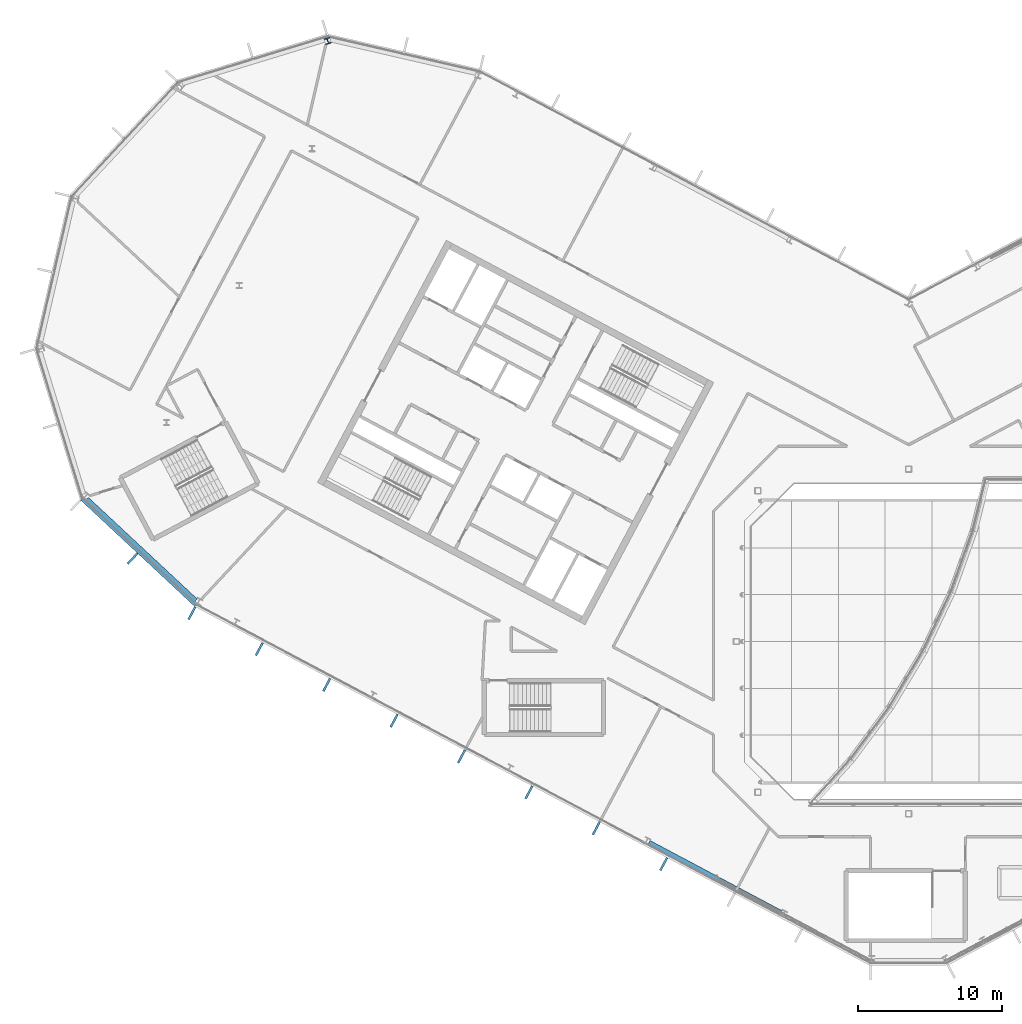
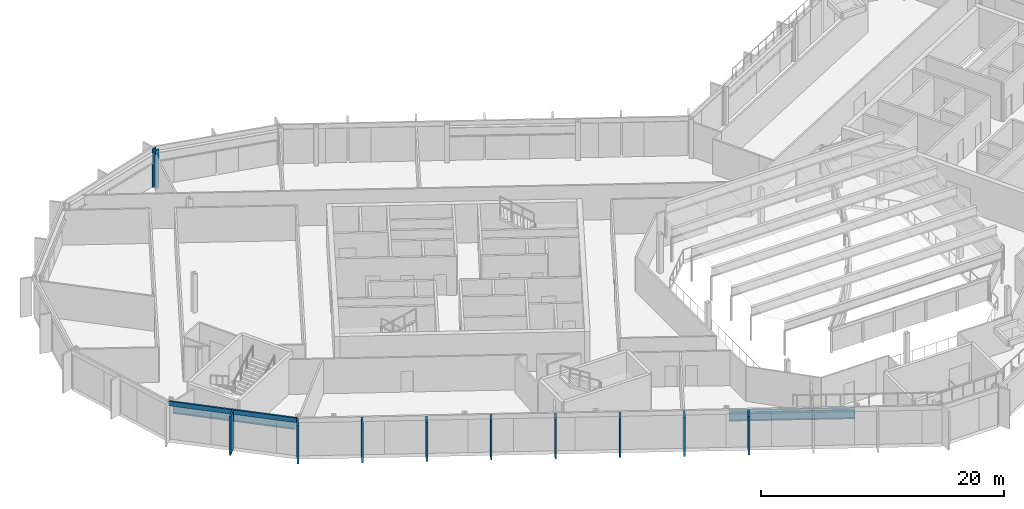
# One storey, part 11 of 35: 10 members, 2 beams, 1 column, 2 elements without a shape of their own.
"""IFC4 building model written with IfcOpenShell, lengths in metres."""

from ifc_helpers import new_model, si_unit, direction, frame, origin, origin_2d, place, context, subcontext, project, spatial, rectangle, i_section, extrude, material, layer, layer_set, material_profile, profile_set, type_object, element, aggregate, save


model = new_model("IFC4")

# Units and contexts
model_context = context("Model", 3, precision=1e-05, world=origin(), true_north=direction((0.0, 1.0)))
body_context = subcontext(model_context, "Body", "Model", "MODEL_VIEW")
ifc_project = project(units=[si_unit("LENGTHUNIT", "METRE"), si_unit("AREAUNIT", "SQUARE_METRE"), si_unit("VOLUMEUNIT", "CUBIC_METRE"), si_unit("PLANEANGLEUNIT", "RADIAN"), si_unit("MASSUNIT", "GRAM", prefix="KILO")], contexts=[model_context])

# Site, building, storey
site_placement = place(None, origin())
site = spatial("IfcSite", under=ifc_project, at=site_placement, CompositionType="ELEMENT")
building_placement = place(site_placement, origin())
building = spatial("IfcBuilding", under=site, at=building_placement, Name="Cormorant Relay Tower", CompositionType="ELEMENT")
storey_placement = place(building_placement, frame((0.0, 0.0, 324.300048828125)))
storey = spatial("IfcBuildingStorey", under=building, at=storey_placement, Name="L74", CompositionType="ELEMENT", Elevation=324.300048828125)

# Column
ifc_material_1 = material(Name="Steel ASTM A992 (Fy 345 MPa)", Category="steel")
ifc_material_profile_1 = material_profile(ifc_material_1, i_section(OverallWidth=0.40380859375, OverallDepth=0.406494140625, WebThickness=0.027099609375, FlangeThickness=0.043701171875, FilletRadius=0.01513671875, at=origin_2d()), Name="W360x347")
ifc_profile_set_1 = profile_set([ifc_material_profile_1], Name="Steel ASTM A992 (Fy 345 MPa)")
column_type = type_object("IfcColumnType", Name="Column W360x347", PredefinedType="COLUMN", material=ifc_profile_set_1)
column_placement = place(storey_placement, frame((-40.455078125, 41.823974609375, 0.0), z_axis=(0.0, 0.0, 1.0), x_axis=(-0.956304755963, -0.292371704723, 0.0)))
element("IfcColumn", 1, at=column_placement, inside=storey, type_object=column_type, Name="Column L74-043", PredefinedType="COLUMN", context=body_context, shape_type="SweptSolid", body=[
    extrude(i_section(OverallWidth=0.40380859375, OverallDepth=0.406494140625, WebThickness=0.027099609375, FlangeThickness=0.043701171875, FilletRadius=0.01513671875, at=origin_2d()), origin(), (0.0, 0.0, 1.0), 3.89990234375),
])

# Curtain wall, member
ifc_material_2 = material(Name="Aluminium 6063-T6 anodised bronze", Category="aluminium")
ifc_layer = layer(ifc_material_2, 0.199951171875)
ifc_layer_set = layer_set([ifc_layer], Name="CW1 unitised bronze curtain wall with vertical fins")
curtain_wall_type = type_object("IfcCurtainWallType", Name="CW1 unitised bronze curtain wall with vertical fins", PredefinedType="NOTDEFINED", material=ifc_layer_set)
curtain_wall_1_placement = place(storey_placement, origin())
curtain_wall_1 = element("IfcCurtainWall", 2, at=curtain_wall_1_placement, inside=storey, type_object=curtain_wall_type, Name="CW1 curtain wall 15", PredefinedType="NOTDEFINED")
ifc_material_3 = material(Name="Aluminium 6063-T6 anodised bronze", Category="aluminium")
ifc_material_profile_2 = material_profile(ifc_material_3, rectangle(XDim=0.14990234375, YDim=1.0, at=origin_2d()), Name="AL 150x1000")
ifc_profile_set_2 = profile_set([ifc_material_profile_2], Name="Aluminium 6063-T6 anodised bronze")
member_type_1 = type_object("IfcMemberType", Name="CW1 bronze fin mullion 150 x 1000", PredefinedType="MULLION", material=ifc_profile_set_2)
member_1_placement = place(storey_placement, frame((-54.0439453125, 5.779296875, 0.0), z_axis=(0.0, 0.0, 1.0), x_axis=(0.731353701619, -0.681998360062, 0.0)))
member_1 = element("IfcMember", 3, at=member_1_placement, type_object=member_type_1, Name="CW1 fin 15.2", PredefinedType="MULLION", context=body_context, shape_type="SweptSolid", body=[
    extrude(rectangle(XDim=0.14990234375, YDim=1.0, at=origin_2d()), origin(), (0.0, 0.0, 1.0), 3.89990234375),
])

# Curtain wall, members
curtain_wall_2_placement = place(storey_placement, origin())
curtain_wall_2 = element("IfcCurtainWall", 4, at=curtain_wall_2_placement, inside=storey, type_object=curtain_wall_type, Name="CW1 curtain wall 16", PredefinedType="NOTDEFINED")
member_2_placement = place(storey_placement, frame((-49.920166015625, 1.96630859375, 0.0), z_axis=(0.0, 0.0, 1.0), x_axis=(0.882947592859, -0.469471562786, 0.0)))
member_2 = element("IfcMember", 5, at=member_2_placement, type_object=member_type_1, Name="CW1 fin 16.1", PredefinedType="MULLION", context=body_context, shape_type="SweptSolid", body=[
    extrude(rectangle(XDim=0.14990234375, YDim=1.0, at=origin_2d()), origin(), (0.0, 0.0, 1.0), 3.89990234375),
])
member_3_placement = place(storey_placement, frame((-45.225830078125, -0.52978515625, 0.0), z_axis=(0.0, 0.0, 1.0), x_axis=(0.882947592859, -0.469471562786, 0.0)))
member_3 = element("IfcMember", 6, at=member_3_placement, type_object=member_type_1, Name="CW1 fin 16.2", PredefinedType="MULLION", context=body_context, shape_type="SweptSolid", body=[
    extrude(rectangle(XDim=0.14990234375, YDim=1.0, at=origin_2d()), origin(), (0.0, 0.0, 1.0), 3.89990234375),
])
member_4_placement = place(storey_placement, frame((-40.531494140625, -3.025634765625, 0.0), z_axis=(0.0, 0.0, 1.0), x_axis=(0.882947592859, -0.469471562786, 0.0)))
member_4 = element("IfcMember", 7, at=member_4_placement, type_object=member_type_1, Name="CW1 fin 16.3", PredefinedType="MULLION", context=body_context, shape_type="SweptSolid", body=[
    extrude(rectangle(XDim=0.14990234375, YDim=1.0, at=origin_2d()), origin(), (0.0, 0.0, 1.0), 3.89990234375),
])
member_5_placement = place(storey_placement, frame((-35.83740234375, -5.521728515625, 0.0), z_axis=(0.0, 0.0, 1.0), x_axis=(0.882947592859, -0.469471562786, 0.0)))
member_5 = element("IfcMember", 8, at=member_5_placement, type_object=member_type_1, Name="CW1 fin 16.4", PredefinedType="MULLION", context=body_context, shape_type="SweptSolid", body=[
    extrude(rectangle(XDim=0.14990234375, YDim=1.0, at=origin_2d()), origin(), (0.0, 0.0, 1.0), 3.89990234375),
])
member_6_placement = place(storey_placement, frame((-31.14306640625, -8.017578125, 0.0), z_axis=(0.0, 0.0, 1.0), x_axis=(0.882947592859, -0.469471562786, 0.0)))
member_6 = element("IfcMember", 9, at=member_6_placement, type_object=member_type_1, Name="CW1 fin 16.5", PredefinedType="MULLION", context=body_context, shape_type="SweptSolid", body=[
    extrude(rectangle(XDim=0.14990234375, YDim=1.0, at=origin_2d()), origin(), (0.0, 0.0, 1.0), 3.89990234375),
])
member_7_placement = place(storey_placement, frame((-26.44873046875, -10.513671875, 0.0), z_axis=(0.0, 0.0, 1.0), x_axis=(0.882947592859, -0.469471562786, 0.0)))
member_7 = element("IfcMember", 10, at=member_7_placement, type_object=member_type_1, Name="CW1 fin 16.6", PredefinedType="MULLION", context=body_context, shape_type="SweptSolid", body=[
    extrude(rectangle(XDim=0.14990234375, YDim=1.0, at=origin_2d()), origin(), (0.0, 0.0, 1.0), 3.89990234375),
])
member_8_placement = place(storey_placement, frame((-21.754638671875, -13.009765625, 0.0), z_axis=(0.0, 0.0, 1.0), x_axis=(0.882947592859, -0.469471562786, 0.0)))
member_8 = element("IfcMember", 11, at=member_8_placement, type_object=member_type_1, Name="CW1 fin 16.7", PredefinedType="MULLION", context=body_context, shape_type="SweptSolid", body=[
    extrude(rectangle(XDim=0.14990234375, YDim=1.0, at=origin_2d()), origin(), (0.0, 0.0, 1.0), 3.89990234375),
])
member_9_placement = place(storey_placement, frame((-17.060302734375, -15.505615234375, 0.0), z_axis=(0.0, 0.0, 1.0), x_axis=(0.882947592859, -0.469471562786, 0.0)))
member_9 = element("IfcMember", 12, at=member_9_placement, type_object=member_type_1, Name="CW1 fin 16.8", PredefinedType="MULLION", context=body_context, shape_type="SweptSolid", body=[
    extrude(rectangle(XDim=0.14990234375, YDim=1.0, at=origin_2d()), origin(), (0.0, 0.0, 1.0), 3.89990234375),
])
aggregate(curtain_wall_2, [member_2, member_3, member_4, member_5, member_6, member_7, member_8, member_9])

# Member
ifc_material_4 = material(Name="Aluminium 6063-T6 anodised bronze", Category="aluminium")
ifc_material_profile_3 = material_profile(ifc_material_4, rectangle(XDim=0.159912109375, YDim=0.449951171875, at=origin_2d()), Name="AL 160x450")
ifc_profile_set_3 = profile_set([ifc_material_profile_3], Name="Aluminium 6063-T6 anodised bronze")
member_type_2 = type_object("IfcMemberType", Name="CW1 bronze transom 160 x 450", PredefinedType="USERDEFINED", material=ifc_profile_set_3)
member_10_placement = place(storey_placement, frame((-57.62353515625, 9.91015625, 3.675048828125), z_axis=(0.731358420696, -0.681993299437, 0.0), x_axis=(0.681993299437, 0.731358420696, 0.0)))
member_10 = element("IfcMember", 13, at=member_10_placement, type_object=member_type_2, Name="CW1 transom 15", ObjectType="TRANSOM", PredefinedType="USERDEFINED", context=body_context, shape_type="SweptSolid", body=[
    extrude(rectangle(XDim=0.159912109375, YDim=0.449951171875, at=origin_2d()), origin(), (0.0, 0.0, 1.0), 10.870361328125),
])

aggregate(curtain_wall_1, [member_1, member_10])

# Beams
ifc_material_5 = material(Name="Steel ASTM A992 (Fy 345 MPa)", Category="steel")
ifc_material_profile_4 = material_profile(ifc_material_5, i_section(OverallWidth=0.307373046875, OverallDepth=0.927001953125, WebThickness=0.019287109375, FlangeThickness=0.031982421875, FilletRadius=0.01904296875, at=origin_2d()), Name="W920x289")
ifc_profile_set_4 = profile_set([ifc_material_profile_4], Name="Steel ASTM A992 (Fy 345 MPa)")
beam_type = type_object("IfcBeamType", Name="Spandrel W920x289", PredefinedType="SPANDREL", material=ifc_profile_set_4)
beam_1_placement = place(storey_placement, frame((-57.234619140625, 9.921630859375, 3.0361328125), z_axis=(0.731364191518, -0.681987110849, 0.0), x_axis=(0.681987110849, 0.731364191518, 0.0)))
element("IfcBeam", 14, at=beam_1_placement, inside=storey, type_object=beam_type, Name="Spandrel beam L74-015", PredefinedType="SPANDREL", context=body_context, shape_type="SweptSolid", body=[
    extrude(i_section(OverallWidth=0.307373046875, OverallDepth=0.927001953125, WebThickness=0.019287109375, FlangeThickness=0.031982421875, FilletRadius=0.01904296875, at=origin_2d()), origin(), (0.0, 0.0, 1.0), 10.37841796875),
])
beam_2_placement = place(storey_placement, frame((-18.0869140625, -13.992919921875, 3.0361328125), z_axis=(0.882946088703, -0.469474391681, 0.0), x_axis=(0.469474391681, 0.882946088703, 0.0)))
element("IfcBeam", 15, at=beam_2_placement, inside=storey, type_object=beam_type, Name="Spandrel beam L74-016", PredefinedType="SPANDREL", context=body_context, shape_type="SweptSolid", body=[
    extrude(i_section(OverallWidth=0.307373046875, OverallDepth=0.927001953125, WebThickness=0.019287109375, FlangeThickness=0.031982421875, FilletRadius=0.01904296875, at=origin_2d()), origin(), (0.0, 0.0, 1.0), 10.401611328125),
])

save(model, "model.ifc")
